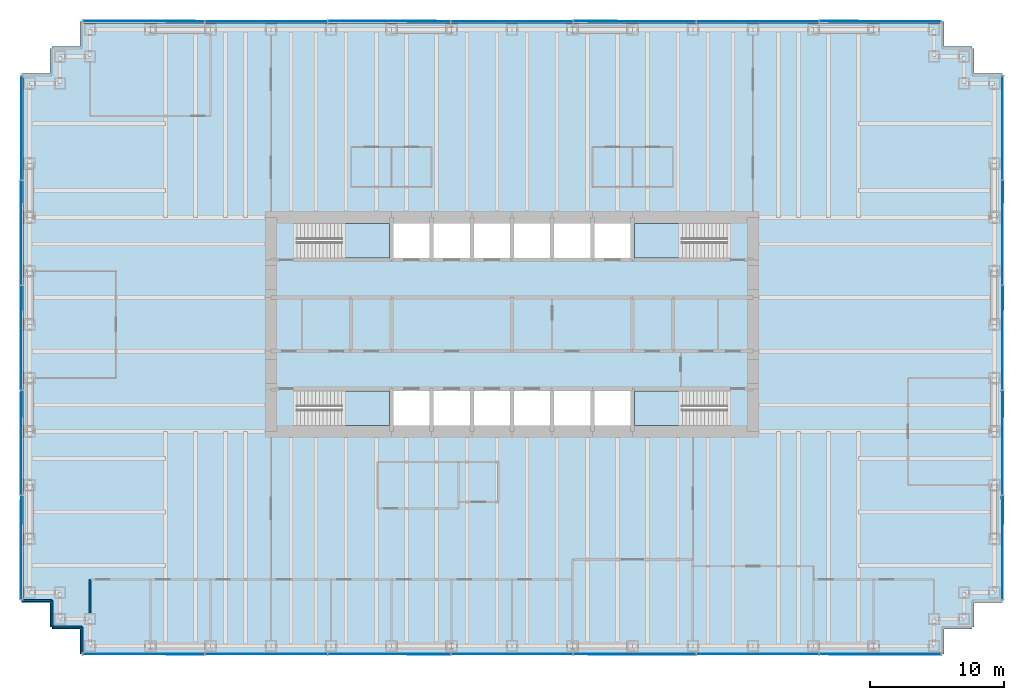
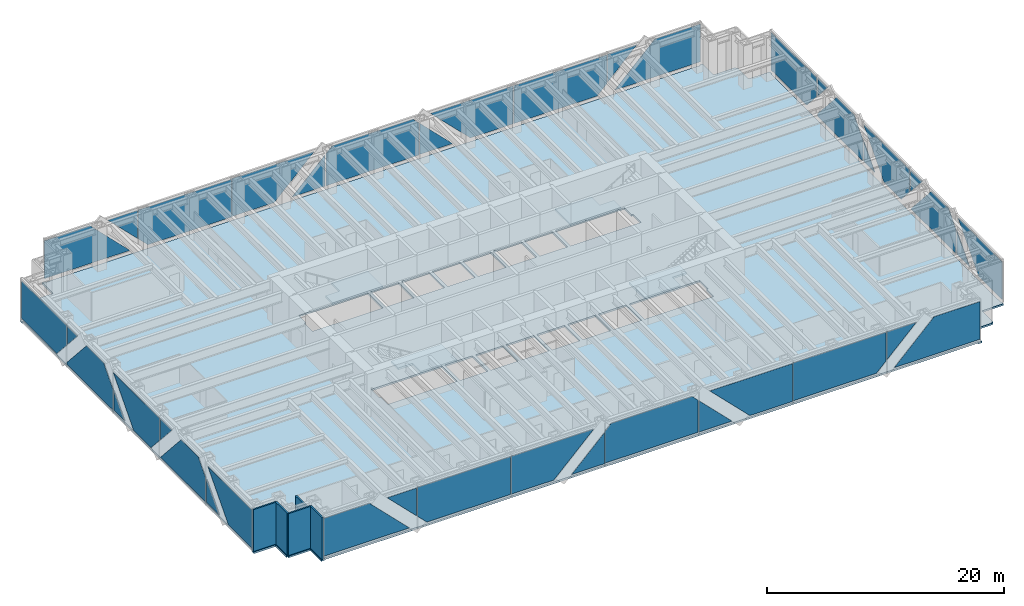
# One storey, part 8 of 13: 40 plates, 5 slabs, 5 walls, 8 elements without a shape of their own.
"""IFC4 building model written with IfcOpenShell, lengths in metres."""

import ifcopenshell
import ifcopenshell.guid

model = None  # the IFC model being written
_history = None  # IfcOwnerHistory: only IFC2X3 demands one
_inside = {}  # id of a spatial element -> (the spatial element, [elements in it])
_under = {}  # id of a project, library or spatial element -> (it, [spatial elements below it])
_declared = {}  # id of a project -> (the project, [libraries it declares])
_typed = {}  # id of a type object -> (the type object, [elements of that type])
_made_of = {}  # id of a material, layer set ... -> (it, [elements and type objects made of it])


def new_model(schema):
    """Start an empty IFC model of exactly this schema.

    Asked for "IFC4X3", IfcOpenShell would pick the latest addendum, in which some entities
    have other attributes; the version numbers below select the first issue.
    IFC2X3 requires an IfcOwnerHistory on every rooted entity: one is made here for all.
    """
    global model, _history
    if schema == "IFC4X3":
        model = ifcopenshell.file(schema_version=(4, 3, 0, 0))
    else:
        model = ifcopenshell.file(schema=schema)
    _inside.clear()
    _under.clear()
    _declared.clear()
    _typed.clear()
    _made_of.clear()
    _history = None
    if model.schema == "IFC2X3":
        org = make("IfcOrganization", Name="unknown")
        user = make(
            "IfcPersonAndOrganization",
            ThePerson=make("IfcPerson", FamilyName="unknown"),
            TheOrganization=org,
        )
        app = make(
            "IfcApplication",
            ApplicationDeveloper=org,
            Version="unknown",
            ApplicationFullName="unknown",
            ApplicationIdentifier="unknown",
        )
        _history = make(
            "IfcOwnerHistory",
            OwningUser=user,
            OwningApplication=app,
            ChangeAction="ADDED",
            CreationDate=0,
        )
    return model


def make(cls, **values):
    """One entity of the class cls with the attributes given. An attribute that is None is left unset."""
    return model.create_entity(
        cls, **{name: value for name, value in values.items() if value is not None}
    )


def rooted(cls, **values):
    """An entity with a GlobalId (a new one), such as an element, a storey or a relation."""
    return make(cls, GlobalId=ifcopenshell.guid.new(), OwnerHistory=_history, **values)


def si_unit(unit_type, name, prefix=None):
    """IfcSIUnit, for example si_unit("LENGTHUNIT", "METRE", prefix="MILLI")."""
    return make("IfcSIUnit", UnitType=unit_type, Prefix=prefix, Name=name)


def assignment(units):
    """IfcUnitAssignment: the units of a project."""
    return None if units is None else make("IfcUnitAssignment", Units=units)


def point(xyz):
    """IfcCartesianPoint."""
    return None if xyz is None else make("IfcCartesianPoint", Coordinates=xyz)


def direction(xyz):
    """IfcDirection."""
    return None if xyz is None else make("IfcDirection", DirectionRatios=xyz)


def frame(location, z_axis=None, x_axis=None):
    """IfcAxis2Placement3D, a coordinate frame: its origin and axes. An axis left out is left unset."""
    return make(
        "IfcAxis2Placement3D",
        Location=point(location),
        Axis=direction(z_axis),
        RefDirection=direction(x_axis),
    )


def frame_2d(location, x_axis=None):
    """IfcAxis2Placement2D, a coordinate frame in the plane: its origin and x axis."""
    return make(
        "IfcAxis2Placement2D", Location=point(location), RefDirection=direction(x_axis)
    )


def origin():
    """The frame at (0, 0, 0) with its axes left unset."""
    return frame((0.0, 0.0, 0.0))


def place(relative_to, where):
    """IfcLocalPlacement: puts the frame where relative to a parent placement (None: the world)."""
    return make(
        "IfcLocalPlacement", PlacementRelTo=relative_to, RelativePlacement=where
    )


def context(
    kind, dimensions, precision=None, world=None, true_north=None, identifier=None
):
    """IfcGeometricRepresentationContext, for example the 3D "Model" context."""
    return make(
        "IfcGeometricRepresentationContext",
        ContextIdentifier=identifier,
        ContextType=kind,
        CoordinateSpaceDimension=dimensions,
        Precision=precision,
        WorldCoordinateSystem=world,
        TrueNorth=true_north,
    )


def subcontext(parent, identifier, kind, view, scale=None):
    """IfcGeometricRepresentationSubContext, for example "Body" below "Model"."""
    return make(
        "IfcGeometricRepresentationSubContext",
        ContextIdentifier=identifier,
        ContextType=kind,
        ParentContext=parent,
        TargetScale=scale,
        TargetView=view,
    )


def project(units=None, contexts=None):
    """IfcProject with its units and contexts."""
    return rooted(
        "IfcProject",
        Name="project",
        RepresentationContexts=contexts,
        UnitsInContext=assignment(units),
    )


def spatial(cls, under=None, at=None, **own):
    """A site, building, storey or space (cls), placed at a placement, below another one or the project."""
    s = rooted(cls, ObjectPlacement=at, **own)
    if under is not None:
        _under.setdefault(under.id(), (under, []))[1].append(s)
    return s


def polyline(points):
    """IfcPolyline through the points."""
    return make("IfcPolyline", Points=[point(p) for p in points])


def profile(cls, at=None, kind="AREA", **sizes):
    """A parametric profile (cls). Its sizes go by their IFC names, for example OverallWidth=200.0."""
    return make(cls, ProfileType=kind, Position=at, **sizes)


def rectangle(**sizes):
    """IfcRectangleProfileDef."""
    return profile("IfcRectangleProfileDef", **sizes)


def outline(outer, holes=None, kind="AREA"):
    """IfcArbitraryClosedProfileDef: a profile drawn as a closed curve; with holes, ...WithVoids."""
    if holes is None:
        return make("IfcArbitraryClosedProfileDef", ProfileType=kind, OuterCurve=outer)
    return make(
        "IfcArbitraryProfileDefWithVoids",
        ProfileType=kind,
        OuterCurve=outer,
        InnerCurves=holes,
    )


def extrude(swept, where, along, depth):
    """IfcExtrudedAreaSolid: the profile swept, set in the frame where, extruded along a direction by depth."""
    return make(
        "IfcExtrudedAreaSolid",
        SweptArea=swept,
        Position=where,
        ExtrudedDirection=direction(along),
        Depth=depth,
    )


def shape(context_of_items, identifier, shape_type, items):
    """IfcShapeRepresentation: the items that make up one representation, for example the "Body"."""
    return make(
        "IfcShapeRepresentation",
        ContextOfItems=context_of_items,
        RepresentationIdentifier=identifier,
        RepresentationType=shape_type,
        Items=items,
    )


def material(Name=None, Category=None):
    """IfcMaterial."""
    return make("IfcMaterial", Name=Name, Category=Category)


def layer(
    of_material, thickness, ventilated=None, Name=None, Category=None, Priority=None
):
    """IfcMaterialLayer: one layer of a wall or slab, of a material (None: an air gap)."""
    return make(
        "IfcMaterialLayer",
        Material=of_material,
        LayerThickness=thickness,
        IsVentilated=ventilated,
        Name=Name,
        Category=Category,
        Priority=Priority,
    )


def layer_set(layers, Name=None):
    """IfcMaterialLayerSet."""
    return make("IfcMaterialLayerSet", MaterialLayers=layers, LayerSetName=Name)


def made_of(thing, what):
    """Note that an element or type object is made of a material, layer set ...; save() writes the relation."""
    if what is not None:
        _made_of.setdefault(what.id(), (what, []))[1].append(thing)
    return thing


def type_object(cls, material=None, **own):
    """A type object (cls), such as IfcWallType, which elements share."""
    return made_of(rooted(cls, **own), material)


def element(
    cls,
    number,
    at=None,
    inside=None,
    cuts=None,
    type_object=None,
    material=None,
    context=None,
    identifier="Body",
    shape_type=None,
    held_by="IfcProductDefinitionShape",
    body=None,
    shapes=None,
    **own,
):
    """One element of the class cls, such as IfcWall. Its Tag is "e" and its number.

    at: its placement. inside: the storey or other place that contains it. cuts: it is an
    opening in that element (IfcRelVoidsElement). A single representation is given by context,
    identifier, shape_type and body (its items); several are given by shapes. held_by: the class
    of the entity that holds the representations. save() writes the other relations.
    """
    e = rooted(cls, Tag="e%d" % number, ObjectPlacement=at, **own)
    if body is not None:
        shapes = [shape(context, identifier, shape_type, body)]
    if shapes is not None:
        e.Representation = make(held_by, Representations=shapes)
    if inside is not None:
        _inside.setdefault(inside.id(), (inside, []))[1].append(e)
    if cuts is not None:
        rooted(
            "IfcRelVoidsElement", RelatingBuildingElement=cuts, RelatedOpeningElement=e
        )
    if type_object is not None:
        _typed.setdefault(type_object.id(), (type_object, []))[1].append(e)
    return made_of(e, material)


def aggregate(whole, parts):
    """IfcRelAggregates: a whole, such as a stair, and the parts it consists of."""
    return rooted("IfcRelAggregates", RelatingObject=whole, RelatedObjects=parts)


def save(model, path):
    """Write the relations noted so far, then the file.

    IfcRelAggregates (storeys below a building ...), IfcRelContainedInSpatialStructure (elements
    in a storey), IfcRelDefinesByType, IfcRelAssociatesMaterial and IfcRelDeclares: one each for
    every whole, place, type object, material and project.
    """
    for whole, parts in _under.values():
        aggregate(whole, parts)
    for where, things in _inside.values():
        rooted(
            "IfcRelContainedInSpatialStructure",
            RelatedElements=things,
            RelatingStructure=where,
        )
    for kind, things in _typed.values():
        rooted("IfcRelDefinesByType", RelatedObjects=things, RelatingType=kind)
    for what, things in _made_of.values():
        rooted("IfcRelAssociatesMaterial", RelatedObjects=things, RelatingMaterial=what)
    for by, libraries in _declared.values():
        rooted("IfcRelDeclares", RelatingContext=by, RelatedDefinitions=libraries)
    model.write(path)


model = new_model("IFC4")

# Units and contexts
model_context = context("Model", 3, precision=1e-05, world=origin(), true_north=direction((0.0, 1.0)))
body_context = subcontext(model_context, "Body", "Model", "MODEL_VIEW")
ifc_project = project(units=[si_unit("LENGTHUNIT", "METRE"), si_unit("AREAUNIT", "SQUARE_METRE"), si_unit("VOLUMEUNIT", "CUBIC_METRE"), si_unit("PLANEANGLEUNIT", "RADIAN"), si_unit("MASSUNIT", "GRAM", prefix="KILO")], contexts=[model_context])

# Site, building, storey
site_placement = place(None, origin())
site = spatial("IfcSite", under=ifc_project, at=site_placement, CompositionType="ELEMENT")
building_placement = place(site_placement, origin())
building = spatial("IfcBuilding", under=site, at=building_placement, Name="Rheinbord Bourse Tower", CompositionType="ELEMENT")
storey_placement = place(building_placement, frame((0.0, 0.0, 86.0)))
storey = spatial("IfcBuildingStorey", under=building, at=storey_placement, Name="L18", CompositionType="ELEMENT", Elevation=86.0)

# Slab
ifc_material_1 = material(Name="Concrete C30/37", Category="concrete")
ifc_layer_1 = layer(ifc_material_1, 0.179931640625)
ifc_layer_set_1 = layer_set([ifc_layer_1], Name="COMPOSITE FLOOR SLAB 180")
slab_type_1 = type_object("IfcSlabType", Name="COMPOSITE FLOOR SLAB 180", PredefinedType="FLOOR", material=ifc_layer_set_1)
slab_1_placement = place(storey_placement, frame((0.0, 0.0, -0.179931640625)))
element("IfcSlab", 1, at=slab_1_placement, inside=storey, type_object=slab_type_1, Name="Floor slab L18", PredefinedType="FLOOR", context=body_context, shape_type="SweptSolid", body=[
    extrude(outline(polyline([(1.64990234375, 1.39990234375), (1.5, 1.39990234375), (1.5, 3.25), (-0.60009765625, 3.25), (-0.60009765625, 3.550048828125), (-0.5, 3.550048828125), (-0.5, 42.449951171875), (-0.60009765625, 42.449951171875), (-0.60009765625, 42.75), (1.5, 42.75), (1.5, 44.60009765625), (1.64990234375, 44.60009765625), (1.64990234375, 44.75), (3.75, 44.75), (3.75, 46.60009765625), (4.050048828125, 46.60009765625), (4.050048828125, 46.5), (67.949951171875, 46.5), (67.949951171875, 46.60009765625), (68.25, 46.60009765625), (68.25, 44.75), (70.35009765625, 44.75), (70.35009765625, 44.60009765625), (70.5, 44.60009765625), (70.5, 42.75), (72.60009765625, 42.75), (72.60009765625, 42.449951171875), (72.5, 42.449951171875), (72.5, 3.550048828125), (72.60009765625, 3.550048828125), (72.60009765625, 3.25), (70.5, 3.25), (70.5, 1.39990234375), (70.35009765625, 1.39990234375), (70.35009765625, 1.25), (68.25, 1.25), (68.25, -0.60009765625), (67.949951171875, -0.60009765625), (67.949951171875, -0.5), (4.050048828125, -0.5), (4.050048828125, -0.60009765625), (3.75, -0.60009765625), (3.75, 1.25), (1.64990234375, 1.25), (1.64990234375, 1.39990234375)]), holes=[polyline([(19.949951171875, 19.050048828125), (26.85009765625, 19.050048828125), (26.85009765625, 16.449951171875), (20.10009765625, 16.449951171875), (20.10009765625, 17.64990234375), (19.949951171875, 17.64990234375), (19.949951171875, 19.050048828125)]), polyline([(26.85009765625, 31.550048828125), (26.85009765625, 28.949951171875), (19.949951171875, 28.949951171875), (19.949951171875, 30.35009765625), (20.10009765625, 30.35009765625), (20.10009765625, 31.550048828125), (26.85009765625, 31.550048828125)]), polyline([(45.14990234375, 16.449951171875), (45.14990234375, 19.050048828125), (52.050048828125, 19.050048828125), (52.050048828125, 17.64990234375), (51.89990234375, 17.64990234375), (51.89990234375, 16.449951171875), (45.14990234375, 16.449951171875)]), polyline([(52.050048828125, 28.949951171875), (45.14990234375, 28.949951171875), (45.14990234375, 31.550048828125), (51.89990234375, 31.550048828125), (51.89990234375, 30.35009765625), (52.050048828125, 30.35009765625), (52.050048828125, 28.949951171875)]), polyline([(27.14990234375, 16.449951171875), (27.14990234375, 19.050048828125), (29.85009765625, 19.050048828125), (29.85009765625, 16.449951171875), (27.14990234375, 16.449951171875)]), polyline([(27.14990234375, 28.949951171875), (27.14990234375, 31.550048828125), (29.85009765625, 31.550048828125), (29.85009765625, 28.949951171875), (27.14990234375, 28.949951171875)]), polyline([(30.14990234375, 16.449951171875), (30.14990234375, 19.050048828125), (32.85009765625, 19.050048828125), (32.85009765625, 16.449951171875), (30.14990234375, 16.449951171875)]), polyline([(30.14990234375, 28.949951171875), (30.14990234375, 31.550048828125), (32.85009765625, 31.550048828125), (32.85009765625, 28.949951171875), (30.14990234375, 28.949951171875)]), polyline([(33.14990234375, 16.449951171875), (33.14990234375, 19.050048828125), (35.85009765625, 19.050048828125), (35.85009765625, 16.449951171875), (33.14990234375, 16.449951171875)]), polyline([(33.14990234375, 28.949951171875), (33.14990234375, 31.550048828125), (35.85009765625, 31.550048828125), (35.85009765625, 28.949951171875), (33.14990234375, 28.949951171875)]), polyline([(36.14990234375, 16.449951171875), (36.14990234375, 19.050048828125), (38.85009765625, 19.050048828125), (38.85009765625, 16.449951171875), (36.14990234375, 16.449951171875)]), polyline([(36.14990234375, 28.949951171875), (36.14990234375, 31.550048828125), (38.85009765625, 31.550048828125), (38.85009765625, 28.949951171875), (36.14990234375, 28.949951171875)]), polyline([(39.14990234375, 16.449951171875), (39.14990234375, 19.050048828125), (41.85009765625, 19.050048828125), (41.85009765625, 16.449951171875), (39.14990234375, 16.449951171875)]), polyline([(39.14990234375, 28.949951171875), (39.14990234375, 31.550048828125), (41.85009765625, 31.550048828125), (41.85009765625, 28.949951171875), (39.14990234375, 28.949951171875)]), polyline([(42.14990234375, 16.449951171875), (42.14990234375, 19.050048828125), (44.85009765625, 19.050048828125), (44.85009765625, 16.449951171875), (42.14990234375, 16.449951171875)]), polyline([(42.14990234375, 28.949951171875), (42.14990234375, 31.550048828125), (44.85009765625, 31.550048828125), (44.85009765625, 28.949951171875), (42.14990234375, 28.949951171875)])]), origin(), (0.0, 0.0, 1.0), 0.179931640625),
])

# Curtain wall, plates
ifc_material_2 = material(Name="Dark glass and black aluminium", Category="aluminium")
curtain_wall_type = type_object("IfcCurtainWallType", Name="CW1 DARK GLASS CURTAIN WALL", PredefinedType="USERDEFINED", material=ifc_material_2)
curtain_wall_1_placement = place(storey_placement, origin())
curtain_wall_1 = element("IfcCurtainWall", 2, at=curtain_wall_1_placement, inside=storey, type_object=curtain_wall_type, Name="Curtain wall CW1 S L18", ObjectType="UNITISED CURTAIN WALL", PredefinedType="USERDEFINED")
ifc_material_3 = material(Name="Dark tinted triple insulating glass", Category="glass")
ifc_layer_2 = layer(ifc_material_3, 0.0439453125)
ifc_layer_set_2 = layer_set([ifc_layer_2], Name="CW1 DARK GLASS PANEL")
plate_type = type_object("IfcPlateType", Name="CW1 DARK GLASS PANEL", PredefinedType="CURTAIN_PANEL", material=ifc_layer_set_2)
plate_1_placement = place(storey_placement, frame((3.97998046875, -0.6220703125, 0.300048828125), z_axis=(0.0, 1.0, 0.0), x_axis=(0.0, 0.0, 1.0)))
plate_1 = element("IfcPlate", 3, at=plate_1_placement, type_object=plate_type, Name="CW1 glass facet 1", PredefinedType="CURTAIN_PANEL", context=body_context, shape_type="SweptSolid", body=[
    extrude(outline(polyline([(0.0, 0.0), (3.89990234375, 0.0), (3.89990234375, 4.464111328125), (0.0, 8.364013671875), (0.0, 0.0)])), origin(), (0.0, 0.0, 1.0), 0.0439453125),
])
plate_2_placement = place(storey_placement, frame((13.031005859375, -0.6708984375, 4.199951171875), z_axis=(0.0, 1.0, 0.0), x_axis=(0.0, 0.0, -1.0)))
plate_2 = element("IfcPlate", 4, at=plate_2_placement, type_object=plate_type, Name="CW1 glass facet 2", PredefinedType="CURTAIN_PANEL", context=body_context, shape_type="SweptSolid", body=[
    extrude(outline(polyline([(0.0, 0.0), (2.8759765625, 0.0), (0.0, 2.875), (0.0, 0.0)])), origin(), (0.0, 0.0, 1.0), 0.0439453125),
])
plate_3_placement = place(storey_placement, frame((13.111083984375, -0.6220703125, 4.199951171875), z_axis=(0.0, 1.0, 0.0), x_axis=(1.0, 0.0, 0.0)))
plate_3 = element("IfcPlate", 5, at=plate_3_placement, type_object=plate_type, Name="CW1 glass facet 1", PredefinedType="CURTAIN_PANEL", context=body_context, shape_type="SweptSolid", body=[
    extrude(outline(polyline([(0.0, 0.0), (9.091796875, 0.0), (9.091796875, 3.89990234375), (0.94482421875, 3.89990234375), (0.0, 2.9560546875), (0.0, 0.0)])), origin(), (0.0, 0.0, 1.0), 0.0439453125),
])
plate_4_placement = place(storey_placement, frame((22.282958984375, -0.6220703125, 0.300048828125), z_axis=(0.0, 1.0, 0.0), x_axis=(0.0, 0.0, 1.0)))
plate_4 = element("IfcPlate", 6, at=plate_4_placement, type_object=plate_type, Name="CW1 glass facet 1", PredefinedType="CURTAIN_PANEL", context=body_context, shape_type="SweptSolid", body=[
    extrude(outline(polyline([(0.0, 0.0), (3.89990234375, 0.0), (3.89990234375, 8.06103515625), (0.0, 4.1611328125), (0.0, 0.0)])), origin(), (0.0, 0.0, 1.0), 0.0439453125),
])
plate_5_placement = place(storey_placement, frame((31.3740234375, -0.6708984375, 0.300048828125), z_axis=(0.0, 1.0, 0.0), x_axis=(-1.0, 0.0, 0.0)))
plate_5 = element("IfcPlate", 7, at=plate_5_placement, type_object=plate_type, Name="CW1 glass facet 2", PredefinedType="CURTAIN_PANEL", context=body_context, shape_type="SweptSolid", body=[
    extrude(outline(polyline([(0.0, 0.0), (3.218017578125, 0.0), (0.0, 3.218994140625), (0.0, 0.0)])), origin(), (0.0, 0.0, 1.0), 0.0439453125),
])
plate_6_placement = place(storey_placement, frame((40.5458984375, -0.6220703125, 0.300048828125), z_axis=(0.0, 1.0, 0.0), x_axis=(-1.0, 0.0, 0.0)))
plate_6 = element("IfcPlate", 8, at=plate_6_placement, type_object=plate_type, Name="CW1 glass facet 1", PredefinedType="CURTAIN_PANEL", context=body_context, shape_type="SweptSolid", body=[
    extrude(outline(polyline([(0.0, 0.0), (9.091796875, 0.0), (9.091796875, 3.299072265625), (8.489990234375, 3.89990234375), (0.601806640625, 3.89990234375), (0.0, 3.299072265625), (0.0, 0.0)])), origin(), (0.0, 0.0, 1.0), 0.0439453125),
])
plate_7_placement = place(storey_placement, frame((40.6259765625, -0.6220703125, 0.300048828125), z_axis=(0.0, 1.0, 0.0), x_axis=(0.0, 0.0, 1.0)))
plate_7 = element("IfcPlate", 9, at=plate_7_placement, type_object=plate_type, Name="CW1 glass facet 1", PredefinedType="CURTAIN_PANEL", context=body_context, shape_type="SweptSolid", body=[
    extrude(outline(polyline([(0.0, 0.0), (3.218994140625, 0.0), (0.0, 3.218017578125), (0.0, 0.0)])), origin(), (0.0, 0.0, 1.0), 0.0439453125),
])
plate_8_placement = place(storey_placement, frame((49.717041015625, -0.6708984375, 4.199951171875), z_axis=(0.0, 1.0, 0.0), x_axis=(0.0, 0.0, -1.0)))
plate_8 = element("IfcPlate", 10, at=plate_8_placement, type_object=plate_type, Name="CW1 glass facet 2", PredefinedType="CURTAIN_PANEL", context=body_context, shape_type="SweptSolid", body=[
    extrude(outline(polyline([(0.0, 0.0), (3.89990234375, 0.0), (3.89990234375, 4.1611328125), (0.0, 8.06103515625), (0.0, 0.0)])), origin(), (0.0, 0.0, 1.0), 0.0439453125),
])
plate_9_placement = place(storey_placement, frame((49.797119140625, -0.6220703125, 0.300048828125), z_axis=(0.0, 1.0, 0.0), x_axis=(0.0, 0.0, 1.0)))
plate_9 = element("IfcPlate", 11, at=plate_9_placement, type_object=plate_type, Name="CW1 glass facet 1", PredefinedType="CURTAIN_PANEL", context=body_context, shape_type="SweptSolid", body=[
    extrude(outline(polyline([(0.0, 0.0), (3.89990234375, 0.0), (3.89990234375, 9.091796875), (0.94384765625, 9.091796875), (0.0, 8.14697265625), (0.0, 0.0)])), origin(), (0.0, 0.0, 1.0), 0.0439453125),
])
plate_10_placement = place(storey_placement, frame((58.968994140625, -0.6220703125, 4.199951171875), z_axis=(0.0, 1.0, 0.0), x_axis=(1.0, 0.0, 0.0)))
plate_10 = element("IfcPlate", 12, at=plate_10_placement, type_object=plate_type, Name="CW1 glass facet 1", PredefinedType="CURTAIN_PANEL", context=body_context, shape_type="SweptSolid", body=[
    extrude(outline(polyline([(0.0, 0.0), (2.875, 0.0), (0.0, 2.8759765625), (0.0, 0.0)])), origin(), (0.0, 0.0, 1.0), 0.0439453125),
])
plate_11_placement = place(storey_placement, frame((68.02001953125, -0.6708984375, 4.199951171875), z_axis=(0.0, 1.0, 0.0), x_axis=(0.0, 0.0, -1.0)))
plate_11 = element("IfcPlate", 13, at=plate_11_placement, type_object=plate_type, Name="CW1 glass facet 2", PredefinedType="CURTAIN_PANEL", context=body_context, shape_type="SweptSolid", body=[
    extrude(outline(polyline([(0.0, 0.0), (3.89990234375, 0.0), (3.89990234375, 8.364013671875), (0.0, 4.464111328125), (0.0, 0.0)])), origin(), (0.0, 0.0, 1.0), 0.0439453125),
])
aggregate(curtain_wall_1, [plate_1, plate_2, plate_3, plate_4, plate_5, plate_6, plate_7, plate_8, plate_9, plate_10, plate_11])

curtain_wall_2_placement = place(storey_placement, origin())
curtain_wall_2 = element("IfcCurtainWall", 14, at=curtain_wall_2_placement, inside=storey, type_object=curtain_wall_type, Name="Curtain wall CW1 E L18", ObjectType="UNITISED CURTAIN WALL", PredefinedType="USERDEFINED")
plate_12_placement = place(storey_placement, frame((72.6220703125, 3.47998046875, 0.300048828125), z_axis=(-1.0, 0.0, 0.0), x_axis=(0.0, 0.0, 1.0)))
plate_12 = element("IfcPlate", 15, at=plate_12_placement, type_object=plate_type, Name="CW1 glass facet 1", PredefinedType="CURTAIN_PANEL", context=body_context, shape_type="SweptSolid", body=[
    extrude(outline(polyline([(0.0, 0.0), (3.89990234375, 0.0), (3.89990234375, 7.444091796875), (0.0, 3.97705078125), (0.0, 0.0)])), origin(), (0.0, 0.0, 1.0), 0.0439453125),
])
plate_13_placement = place(storey_placement, frame((72.6708984375, 11.199951171875, 0.300048828125), z_axis=(-1.0, 0.0, 0.0), x_axis=(0.0, -1.0, 0.0)))
plate_13 = element("IfcPlate", 16, at=plate_13_placement, type_object=plate_type, Name="CW1 glass facet 2", PredefinedType="CURTAIN_PANEL", context=body_context, shape_type="SweptSolid", body=[
    extrude(outline(polyline([(0.0, 0.0), (2.1240234375, 0.0), (0.0, 2.388916015625), (0.0, 0.0)])), origin(), (0.0, 0.0, 1.0), 0.0439453125),
])
plate_14_placement = place(storey_placement, frame((72.6220703125, 11.280029296875, 0.300048828125), z_axis=(-1.0, 0.0, 0.0), x_axis=(0.0, 0.0, 1.0)))
plate_14 = element("IfcPlate", 17, at=plate_14_placement, type_object=plate_type, Name="CW1 glass facet 1", PredefinedType="CURTAIN_PANEL", context=body_context, shape_type="SweptSolid", body=[
    extrude(outline(polyline([(0.0, 0.0), (2.47900390625, 0.0), (3.89990234375, 1.262939453125), (3.89990234375, 4.177001953125), (0.0, 7.64404296875), (0.0, 0.0)])), origin(), (0.0, 0.0, 1.0), 0.0439453125),
])
plate_15_placement = place(storey_placement, frame((72.6708984375, 19.0400390625, 4.199951171875), z_axis=(-1.0, 0.0, 0.0), x_axis=(0.0, 0.0, -1.0)))
plate_15 = element("IfcPlate", 18, at=plate_15_placement, type_object=plate_type, Name="CW1 glass facet 2", PredefinedType="CURTAIN_PANEL", context=body_context, shape_type="SweptSolid", body=[
    extrude(outline(polyline([(0.0, 0.0), (2.208984375, 0.0), (0.0, 1.964111328125), (0.0, 0.0)])), origin(), (0.0, 0.0, 1.0), 0.0439453125),
])
plate_16_placement = place(storey_placement, frame((72.6220703125, 20.54296875, 0.300048828125), z_axis=(-1.0, 0.0, 0.0), x_axis=(0.0, -0.664335537311, 0.74743447463)))
plate_16 = element("IfcPlate", 19, at=plate_16_placement, type_object=plate_type, Name="CW1 glass facet 1", PredefinedType="CURTAIN_PANEL", context=body_context, shape_type="SweptSolid", body=[
    extrude(outline(polyline([(0.0, 0.0), (2.141845703125, 0.0), (3.860107421875, 1.52734375), (-1.294921875, 7.327392578125), (-1.33154296875, 7.294677734375), (-1.93603515625, 2.177978515625), (0.0, 0.0)])), origin(), (0.0, 0.0, 1.0), 0.0439453125),
])
plate_17_placement = place(storey_placement, frame((72.6708984375, 26.8798828125, 0.300048828125), z_axis=(-1.0, 0.0, 0.0), x_axis=(0.0, -1.0, 0.0)))
plate_17 = element("IfcPlate", 20, at=plate_17_placement, type_object=plate_type, Name="CW1 glass facet 2", PredefinedType="CURTAIN_PANEL", context=body_context, shape_type="SweptSolid", body=[
    extrude(outline(polyline([(0.0, 0.0), (1.803955078125, 0.0), (0.0, 2.029052734375), (0.0, 0.0)])), origin(), (0.0, 0.0, 1.0), 0.0439453125),
])
plate_18_placement = place(storey_placement, frame((72.6220703125, 34.719970703125, 0.300048828125), z_axis=(-1.0, 0.0, 0.0), x_axis=(0.0, -1.0, 0.0)))
plate_18 = element("IfcPlate", 21, at=plate_18_placement, type_object=plate_type, Name="CW1 glass facet 1", PredefinedType="CURTAIN_PANEL", context=body_context, shape_type="SweptSolid", body=[
    extrude(outline(polyline([(0.0, 0.0), (7.760009765625, 0.0), (7.760009765625, 2.118896484375), (6.177001953125, 3.89990234375), (3.262939453125, 3.89990234375), (0.0, 0.22900390625), (0.0, 0.0)])), origin(), (0.0, 0.0, 1.0), 0.0439453125),
])
plate_19_placement = place(storey_placement, frame((72.6708984375, 34.719970703125, 4.199951171875), z_axis=(-1.0, 0.0, 0.0), x_axis=(0.0, 0.0, -1.0)))
plate_19 = element("IfcPlate", 22, at=plate_19_placement, type_object=plate_type, Name="CW1 glass facet 2", PredefinedType="CURTAIN_PANEL", context=body_context, shape_type="SweptSolid", body=[
    extrude(outline(polyline([(0.0, 0.0), (1.848876953125, 0.0), (0.0, 1.64404296875), (0.0, 0.0)])), origin(), (0.0, 0.0, 1.0), 0.0439453125),
])
plate_20_placement = place(storey_placement, frame((72.6220703125, 34.800048828125, 4.199951171875), z_axis=(-1.0, 0.0, 0.0), x_axis=(0.0, 1.0, 0.0)))
plate_20 = element("IfcPlate", 23, at=plate_20_placement, type_object=plate_type, Name="CW1 glass facet 1", PredefinedType="CURTAIN_PANEL", context=body_context, shape_type="SweptSolid", body=[
    extrude(outline(polyline([(0.0, 0.0), (7.719970703125, 0.0), (7.719970703125, 3.89990234375), (1.742919921875, 3.89990234375), (0.0, 1.93896484375), (0.0, 0.0)])), origin(), (0.0, 0.0, 1.0), 0.0439453125),
])
aggregate(curtain_wall_2, [plate_12, plate_13, plate_14, plate_15, plate_16, plate_17, plate_18, plate_19, plate_20])

curtain_wall_3_placement = place(storey_placement, origin())
curtain_wall_3 = element("IfcCurtainWall", 24, at=curtain_wall_3_placement, inside=storey, type_object=curtain_wall_type, Name="Curtain wall CW1 N L18", ObjectType="UNITISED CURTAIN WALL", PredefinedType="USERDEFINED")
plate_21_placement = place(storey_placement, frame((68.02001953125, 46.6220703125, 0.300048828125), z_axis=(0.0, -1.0, 0.0), x_axis=(0.0, 0.0, 1.0)))
plate_21 = element("IfcPlate", 25, at=plate_21_placement, type_object=plate_type, Name="CW1 glass facet 1", PredefinedType="CURTAIN_PANEL", context=body_context, shape_type="SweptSolid", body=[
    extrude(outline(polyline([(0.0, 0.0), (3.89990234375, 0.0), (3.89990234375, 4.464111328125), (0.0, 8.364013671875), (0.0, 0.0)])), origin(), (0.0, 0.0, 1.0), 0.0439453125),
])
plate_22_placement = place(storey_placement, frame((58.968994140625, 46.6708984375, 4.199951171875), z_axis=(0.0, -1.0, 0.0), x_axis=(0.0, 0.0, -1.0)))
plate_22 = element("IfcPlate", 26, at=plate_22_placement, type_object=plate_type, Name="CW1 glass facet 2", PredefinedType="CURTAIN_PANEL", context=body_context, shape_type="SweptSolid", body=[
    extrude(outline(polyline([(0.0, 0.0), (2.8759765625, 0.0), (0.0, 2.875), (0.0, 0.0)])), origin(), (0.0, 0.0, 1.0), 0.0439453125),
])
plate_23_placement = place(storey_placement, frame((58.888916015625, 46.6220703125, 4.199951171875), z_axis=(0.0, -1.0, 0.0), x_axis=(-1.0, 0.0, 0.0)))
plate_23 = element("IfcPlate", 27, at=plate_23_placement, type_object=plate_type, Name="CW1 glass facet 1", PredefinedType="CURTAIN_PANEL", context=body_context, shape_type="SweptSolid", body=[
    extrude(outline(polyline([(0.0, 0.0), (9.091796875, 0.0), (9.091796875, 3.89990234375), (0.94482421875, 3.89990234375), (0.0, 2.9560546875), (0.0, 0.0)])), origin(), (0.0, 0.0, 1.0), 0.0439453125),
])
plate_24_placement = place(storey_placement, frame((49.717041015625, 46.6220703125, 0.300048828125), z_axis=(0.0, -1.0, 0.0), x_axis=(0.0, 0.0, 1.0)))
plate_24 = element("IfcPlate", 28, at=plate_24_placement, type_object=plate_type, Name="CW1 glass facet 1", PredefinedType="CURTAIN_PANEL", context=body_context, shape_type="SweptSolid", body=[
    extrude(outline(polyline([(0.0, 0.0), (3.89990234375, 0.0), (3.89990234375, 8.06103515625), (0.0, 4.1611328125), (0.0, 0.0)])), origin(), (0.0, 0.0, 1.0), 0.0439453125),
])
plate_25_placement = place(storey_placement, frame((40.6259765625, 46.6708984375, 0.300048828125), z_axis=(0.0, -1.0, 0.0), x_axis=(1.0, 0.0, 0.0)))
plate_25 = element("IfcPlate", 29, at=plate_25_placement, type_object=plate_type, Name="CW1 glass facet 2", PredefinedType="CURTAIN_PANEL", context=body_context, shape_type="SweptSolid", body=[
    extrude(outline(polyline([(0.0, 0.0), (3.218017578125, 0.0), (0.0, 3.218994140625), (0.0, 0.0)])), origin(), (0.0, 0.0, 1.0), 0.0439453125),
])
plate_26_placement = place(storey_placement, frame((31.4541015625, 46.6220703125, 0.300048828125), z_axis=(0.0, -1.0, 0.0), x_axis=(1.0, 0.0, 0.0)))
plate_26 = element("IfcPlate", 30, at=plate_26_placement, type_object=plate_type, Name="CW1 glass facet 1", PredefinedType="CURTAIN_PANEL", context=body_context, shape_type="SweptSolid", body=[
    extrude(outline(polyline([(0.0, 0.0), (9.091796875, 0.0), (9.091796875, 3.299072265625), (8.489990234375, 3.89990234375), (0.601806640625, 3.89990234375), (0.0, 3.299072265625), (0.0, 0.0)])), origin(), (0.0, 0.0, 1.0), 0.0439453125),
])
plate_27_placement = place(storey_placement, frame((31.3740234375, 46.6220703125, 0.300048828125), z_axis=(0.0, -1.0, 0.0), x_axis=(0.0, 0.0, 1.0)))
plate_27 = element("IfcPlate", 31, at=plate_27_placement, type_object=plate_type, Name="CW1 glass facet 1", PredefinedType="CURTAIN_PANEL", context=body_context, shape_type="SweptSolid", body=[
    extrude(outline(polyline([(0.0, 0.0), (3.218994140625, 0.0), (0.0, 3.218017578125), (0.0, 0.0)])), origin(), (0.0, 0.0, 1.0), 0.0439453125),
])
plate_28_placement = place(storey_placement, frame((22.282958984375, 46.6708984375, 4.199951171875), z_axis=(0.0, -1.0, 0.0), x_axis=(0.0, 0.0, -1.0)))
plate_28 = element("IfcPlate", 32, at=plate_28_placement, type_object=plate_type, Name="CW1 glass facet 2", PredefinedType="CURTAIN_PANEL", context=body_context, shape_type="SweptSolid", body=[
    extrude(outline(polyline([(0.0, 0.0), (3.89990234375, 0.0), (3.89990234375, 4.1611328125), (0.0, 8.06103515625), (0.0, 0.0)])), origin(), (0.0, 0.0, 1.0), 0.0439453125),
])
plate_29_placement = place(storey_placement, frame((22.202880859375, 46.6220703125, 0.300048828125), z_axis=(0.0, -1.0, 0.0), x_axis=(0.0, 0.0, 1.0)))
plate_29 = element("IfcPlate", 33, at=plate_29_placement, type_object=plate_type, Name="CW1 glass facet 1", PredefinedType="CURTAIN_PANEL", context=body_context, shape_type="SweptSolid", body=[
    extrude(outline(polyline([(0.0, 0.0), (3.89990234375, 0.0), (3.89990234375, 9.091796875), (0.94384765625, 9.091796875), (0.0, 8.14697265625), (0.0, 0.0)])), origin(), (0.0, 0.0, 1.0), 0.0439453125),
])
plate_30_placement = place(storey_placement, frame((13.031005859375, 46.6220703125, 4.199951171875), z_axis=(0.0, -1.0, 0.0), x_axis=(-1.0, 0.0, 0.0)))
plate_30 = element("IfcPlate", 34, at=plate_30_placement, type_object=plate_type, Name="CW1 glass facet 1", PredefinedType="CURTAIN_PANEL", context=body_context, shape_type="SweptSolid", body=[
    extrude(outline(polyline([(0.0, 0.0), (2.875, 0.0), (0.0, 2.8759765625), (0.0, 0.0)])), origin(), (0.0, 0.0, 1.0), 0.0439453125),
])
plate_31_placement = place(storey_placement, frame((3.97998046875, 46.6708984375, 4.199951171875), z_axis=(0.0, -1.0, 0.0), x_axis=(0.0, 0.0, -1.0)))
plate_31 = element("IfcPlate", 35, at=plate_31_placement, type_object=plate_type, Name="CW1 glass facet 2", PredefinedType="CURTAIN_PANEL", context=body_context, shape_type="SweptSolid", body=[
    extrude(outline(polyline([(0.0, 0.0), (3.89990234375, 0.0), (3.89990234375, 8.364013671875), (0.0, 4.464111328125), (0.0, 0.0)])), origin(), (0.0, 0.0, 1.0), 0.0439453125),
])
aggregate(curtain_wall_3, [plate_21, plate_22, plate_23, plate_24, plate_25, plate_26, plate_27, plate_28, plate_29, plate_30, plate_31])

curtain_wall_4_placement = place(storey_placement, origin())
curtain_wall_4 = element("IfcCurtainWall", 36, at=curtain_wall_4_placement, inside=storey, type_object=curtain_wall_type, Name="Curtain wall CW1 W L18", ObjectType="UNITISED CURTAIN WALL", PredefinedType="USERDEFINED")
plate_32_placement = place(storey_placement, frame((-0.6220703125, 42.52001953125, 0.300048828125), z_axis=(1.0, 0.0, 0.0), x_axis=(0.0, 0.0, 1.0)))
plate_32 = element("IfcPlate", 37, at=plate_32_placement, type_object=plate_type, Name="CW1 glass facet 1", PredefinedType="CURTAIN_PANEL", context=body_context, shape_type="SweptSolid", body=[
    extrude(outline(polyline([(0.0, 0.0), (3.89990234375, 0.0), (3.89990234375, 7.719970703125), (1.9609375, 7.719970703125), (0.0, 5.97705078125), (0.0, 0.0)])), origin(), (0.0, 0.0, 1.0), 0.0439453125),
])
plate_33_placement = place(storey_placement, frame((-0.6220703125, 34.719970703125, 4.199951171875), z_axis=(1.0, 0.0, 0.0), x_axis=(0.0, -1.0, 0.0)))
plate_33 = element("IfcPlate", 38, at=plate_33_placement, type_object=plate_type, Name="CW1 glass facet 1", PredefinedType="CURTAIN_PANEL", context=body_context, shape_type="SweptSolid", body=[
    extrude(outline(polyline([(0.0, 0.0), (1.64404296875, 0.0), (0.0, 1.848876953125), (0.0, 0.0)])), origin(), (0.0, 0.0, 1.0), 0.0439453125),
])
plate_34_placement = place(storey_placement, frame((-0.6708984375, 26.9599609375, 0.300048828125), z_axis=(1.0, 0.0, 0.0), x_axis=(0.0, 1.0, 0.0)))
plate_34 = element("IfcPlate", 39, at=plate_34_placement, type_object=plate_type, Name="CW1 glass facet 2", PredefinedType="CURTAIN_PANEL", context=body_context, shape_type="SweptSolid", body=[
    extrude(outline(polyline([(0.0, 0.0), (7.760009765625, 0.0), (7.760009765625, 0.22900390625), (4.4970703125, 3.89990234375), (1.5830078125, 3.89990234375), (0.0, 2.118896484375), (0.0, 0.0)])), origin(), (0.0, 0.0, 1.0), 0.0439453125),
])
plate_35_placement = place(storey_placement, frame((-0.6220703125, 26.8798828125, 0.300048828125), z_axis=(1.0, 0.0, 0.0), x_axis=(0.0, 0.0, 1.0)))
plate_35 = element("IfcPlate", 40, at=plate_35_placement, type_object=plate_type, Name="CW1 glass facet 1", PredefinedType="CURTAIN_PANEL", context=body_context, shape_type="SweptSolid", body=[
    extrude(outline(polyline([(0.0, 0.0), (2.029052734375, 0.0), (0.0, 1.803955078125), (0.0, 0.0)])), origin(), (0.0, 0.0, 1.0), 0.0439453125),
])
plate_36_placement = place(storey_placement, frame((-0.6708984375, 23.45703125, 0.300048828125), z_axis=(1.0, 0.0, 0.0), x_axis=(0.0, 0.664352073941, 0.747419776197)))
plate_36 = element("IfcPlate", 41, at=plate_36_placement, type_object=plate_type, Name="CW1 glass facet 2", PredefinedType="CURTAIN_PANEL", context=body_context, shape_type="SweptSolid", body=[
    extrude(outline(polyline([(0.0, 0.0), (5.152099609375, 0.0), (5.188720703125, 0.03271484375), (0.03369140625, 5.83251953125), (-1.684814453125, 4.304931640625), (-1.93603515625, 2.177978515625), (0.0, 0.0)])), origin(), (0.0, 0.0, 1.0), 0.0439453125),
])
plate_37_placement = place(storey_placement, frame((-0.6220703125, 19.0400390625, 4.199951171875), z_axis=(1.0, 0.0, 0.0), x_axis=(0.0, -1.0, 0.0)))
plate_37 = element("IfcPlate", 42, at=plate_37_placement, type_object=plate_type, Name="CW1 glass facet 1", PredefinedType="CURTAIN_PANEL", context=body_context, shape_type="SweptSolid", body=[
    extrude(outline(polyline([(0.0, 0.0), (1.964111328125, 0.0), (0.0, 2.208984375), (0.0, 0.0)])), origin(), (0.0, 0.0, 1.0), 0.0439453125),
])
plate_38_placement = place(storey_placement, frame((-0.6708984375, 11.280029296875, 0.300048828125), z_axis=(1.0, 0.0, 0.0), x_axis=(0.0, 1.0, 0.0)))
plate_38 = element("IfcPlate", 43, at=plate_38_placement, type_object=plate_type, Name="CW1 glass facet 2", PredefinedType="CURTAIN_PANEL", context=body_context, shape_type="SweptSolid", body=[
    extrude(outline(polyline([(0.0, 0.0), (7.64404296875, 0.0), (4.177001953125, 3.89990234375), (1.262939453125, 3.89990234375), (0.0, 2.47900390625), (0.0, 0.0)])), origin(), (0.0, 0.0, 1.0), 0.0439453125),
])
plate_39_placement = place(storey_placement, frame((-0.6220703125, 11.199951171875, 0.300048828125), z_axis=(1.0, 0.0, 0.0), x_axis=(0.0, 0.0, 1.0)))
plate_39 = element("IfcPlate", 44, at=plate_39_placement, type_object=plate_type, Name="CW1 glass facet 1", PredefinedType="CURTAIN_PANEL", context=body_context, shape_type="SweptSolid", body=[
    extrude(outline(polyline([(0.0, 0.0), (2.388916015625, 0.0), (0.0, 2.1240234375), (0.0, 0.0)])), origin(), (0.0, 0.0, 1.0), 0.0439453125),
])
plate_40_placement = place(storey_placement, frame((-0.6708984375, 3.47998046875, 4.199951171875), z_axis=(1.0, 0.0, 0.0), x_axis=(0.0, 0.0, -1.0)))
plate_40 = element("IfcPlate", 45, at=plate_40_placement, type_object=plate_type, Name="CW1 glass facet 2", PredefinedType="CURTAIN_PANEL", context=body_context, shape_type="SweptSolid", body=[
    extrude(outline(polyline([(0.0, 0.0), (3.89990234375, 0.0), (3.89990234375, 3.97705078125), (0.0, 7.444091796875), (0.0, 0.0)])), origin(), (0.0, 0.0, 1.0), 0.0439453125),
])
aggregate(curtain_wall_4, [plate_32, plate_33, plate_34, plate_35, plate_36, plate_37, plate_38, plate_39, plate_40])

# Stair, slab
ifc_material_4 = material(Name="Concrete C30/37", Category="concrete")
stair_type = type_object("IfcStairType", Name="CORE STAIR HALF TURN 4500", PredefinedType="HALF_TURN_STAIR", material=ifc_material_4)
stair_1_placement = place(storey_placement, origin())
stair_1 = element("IfcStair", 46, at=stair_1_placement, inside=storey, type_object=stair_type, Name="Stair ST1 L18, type CS4", PredefinedType="HALF_TURN_STAIR")
ifc_material_5 = material(Name="Concrete C30/37", Category="concrete")
ifc_layer_3 = layer(ifc_material_5, 0.199951171875)
ifc_layer_set_3 = layer_set([ifc_layer_3], Name="STAIR LANDING 200")
slab_type_2 = type_object("IfcSlabType", Name="STAIR LANDING 200", PredefinedType="LANDING", material=ifc_layer_set_3)
slab_2_placement = place(storey_placement, frame((0.0, 0.0, 2.050048828125)))
slab_2 = element("IfcSlab", 47, at=slab_2_placement, type_object=slab_type_2, Name="Half landing ST1 L18", PredefinedType="LANDING", context=body_context, shape_type="SweptSolid", body=[
    extrude(outline(polyline([(23.31005859375, 16.449951171875), (26.85009765625, 16.449951171875), (26.85009765625, 19.050048828125), (21.916015625, 19.050048828125), (21.916015625, 17.85009765625), (23.31005859375, 17.85009765625), (23.31005859375, 16.449951171875)])), origin(), (0.0, 0.0, 1.0), 0.199951171875),
])
aggregate(stair_1, [slab_2])

stair_2_placement = place(storey_placement, origin())
stair_2 = element("IfcStair", 48, at=stair_2_placement, inside=storey, type_object=stair_type, Name="Stair ST2 L18, type CS4", PredefinedType="HALF_TURN_STAIR")
slab_3_placement = place(storey_placement, frame((0.0, 0.0, 2.050048828125)))
slab_3 = element("IfcSlab", 49, at=slab_3_placement, type_object=slab_type_2, Name="Half landing ST2 L18", PredefinedType="LANDING", context=body_context, shape_type="SweptSolid", body=[
    extrude(outline(polyline([(21.916015625, 28.949951171875), (26.85009765625, 28.949951171875), (26.85009765625, 31.550048828125), (23.31005859375, 31.550048828125), (23.31005859375, 30.14990234375), (21.916015625, 30.14990234375), (21.916015625, 28.949951171875)])), origin(), (0.0, 0.0, 1.0), 0.199951171875),
])
aggregate(stair_2, [slab_3])

stair_3_placement = place(storey_placement, origin())
stair_3 = element("IfcStair", 50, at=stair_3_placement, inside=storey, type_object=stair_type, Name="Stair ST3 L18, type CS4", PredefinedType="HALF_TURN_STAIR")
slab_4_placement = place(storey_placement, frame((0.0, 0.0, 2.050048828125)))
slab_4 = element("IfcSlab", 51, at=slab_4_placement, type_object=slab_type_2, Name="Half landing ST3 L18", PredefinedType="LANDING", context=body_context, shape_type="SweptSolid", body=[
    extrude(outline(polyline([(45.14990234375, 16.449951171875), (48.68994140625, 16.449951171875), (48.68994140625, 17.85009765625), (50.083984375, 17.85009765625), (50.083984375, 19.050048828125), (45.14990234375, 19.050048828125), (45.14990234375, 16.449951171875)])), origin(), (0.0, 0.0, 1.0), 0.199951171875),
])
aggregate(stair_3, [slab_4])

stair_4_placement = place(storey_placement, origin())
stair_4 = element("IfcStair", 52, at=stair_4_placement, inside=storey, type_object=stair_type, Name="Stair ST4 L18, type CS4", PredefinedType="HALF_TURN_STAIR")
slab_5_placement = place(storey_placement, frame((0.0, 0.0, 2.050048828125)))
slab_5 = element("IfcSlab", 53, at=slab_5_placement, type_object=slab_type_2, Name="Half landing ST4 L18", PredefinedType="LANDING", context=body_context, shape_type="SweptSolid", body=[
    extrude(outline(polyline([(45.14990234375, 28.949951171875), (50.083984375, 28.949951171875), (50.083984375, 30.14990234375), (48.68994140625, 30.14990234375), (48.68994140625, 31.550048828125), (45.14990234375, 31.550048828125), (45.14990234375, 28.949951171875)])), origin(), (0.0, 0.0, 1.0), 0.199951171875),
])
aggregate(stair_4, [slab_5])

# Walls
ifc_material_6 = material(Name="Black metal rainscreen panel", Category="aluminium")
ifc_layer_4 = layer(ifc_material_6, 0.14990234375)
ifc_layer_set_4 = layer_set([ifc_layer_4], Name="CORNER PIER CLADDING 150")
wall_type_1 = type_object("IfcWallType", Name="CORNER PIER CLADDING 150", PredefinedType="ELEMENTEDWALL", material=ifc_layer_set_4)
wall_1_placement = place(storey_placement, frame((-0.60009765625, 3.39990234375, 0.0), z_axis=(0.0, 0.0, 1.0), x_axis=(1.0, 0.0, 0.0)))
element("IfcWall", 54, at=wall_1_placement, inside=storey, type_object=wall_type_1, Name="Corner pier cladding L18 17", PredefinedType="ELEMENTEDWALL", context=body_context, shape_type="SweptSolid", body=[
    extrude(rectangle(XDim=2.25, YDim=0.14990234375, at=frame_2d((1.125, 0.0))), origin(), (0.0, 0.0, 1.0), 4.320068359375),
])
wall_2_placement = place(storey_placement, frame((1.64990234375, 3.39990234375, 0.0), z_axis=(0.0, 0.0, 1.0), x_axis=(0.0, -1.0, 0.0)))
element("IfcWall", 55, at=wall_2_placement, inside=storey, type_object=wall_type_1, Name="Corner pier cladding L18 18", PredefinedType="ELEMENTEDWALL", context=body_context, shape_type="SweptSolid", body=[
    extrude(rectangle(XDim=2.0, YDim=0.14990234375, at=frame_2d((1.0, 0.0))), origin(), (0.0, 0.0, 1.0), 4.320068359375),
])
wall_3_placement = place(storey_placement, frame((1.64990234375, 1.39990234375, 0.0), z_axis=(0.0, 0.0, 1.0), x_axis=(1.0, 0.0, 0.0)))
element("IfcWall", 56, at=wall_3_placement, inside=storey, type_object=wall_type_1, Name="Corner pier cladding L18 19", PredefinedType="ELEMENTEDWALL", context=body_context, shape_type="SweptSolid", body=[
    extrude(rectangle(XDim=2.25, YDim=0.14990234375, at=frame_2d((1.125, 0.0))), origin(), (0.0, 0.0, 1.0), 4.320068359375),
])
wall_4_placement = place(storey_placement, frame((3.89990234375, 1.39990234375, 0.0), z_axis=(0.0, 0.0, 1.0), x_axis=(0.0, -1.0, 0.0)))
element("IfcWall", 57, at=wall_4_placement, inside=storey, type_object=wall_type_1, Name="Corner pier cladding L18 20", PredefinedType="ELEMENTEDWALL", context=body_context, shape_type="SweptSolid", body=[
    extrude(rectangle(XDim=2.0, YDim=0.14990234375, at=frame_2d((1.0, 0.0))), origin(), (0.0, 0.0, 1.0), 4.320068359375),
])
ifc_material_7 = material(Name="Gypsum board partition", Category="gypsum board")
ifc_layer_5 = layer(ifc_material_7, 0.14990234375)
ifc_layer_set_5 = layer_set([ifc_layer_5], Name="PARTITION 150")
wall_type_2 = type_object("IfcWallType", Name="PARTITION 150", PredefinedType="PARTITIONING", material=ifc_layer_set_5)
wall_5_placement = place(storey_placement, frame((4.5, 2.449951171875, 0.0), z_axis=(0.0, 0.0, 1.0), x_axis=(0.0, 1.0, 0.0)))
element("IfcWall", 58, at=wall_5_placement, inside=storey, type_object=wall_type_2, Name="Partition L18-18", PredefinedType="PARTITIONING", context=body_context, shape_type="SweptSolid", body=[
    extrude(rectangle(XDim=2.5, YDim=0.14990234375, at=frame_2d((1.25, 0.0))), origin(), (0.0, 0.0, 1.0), 3.0),
])

save(model, "model.ifc")
